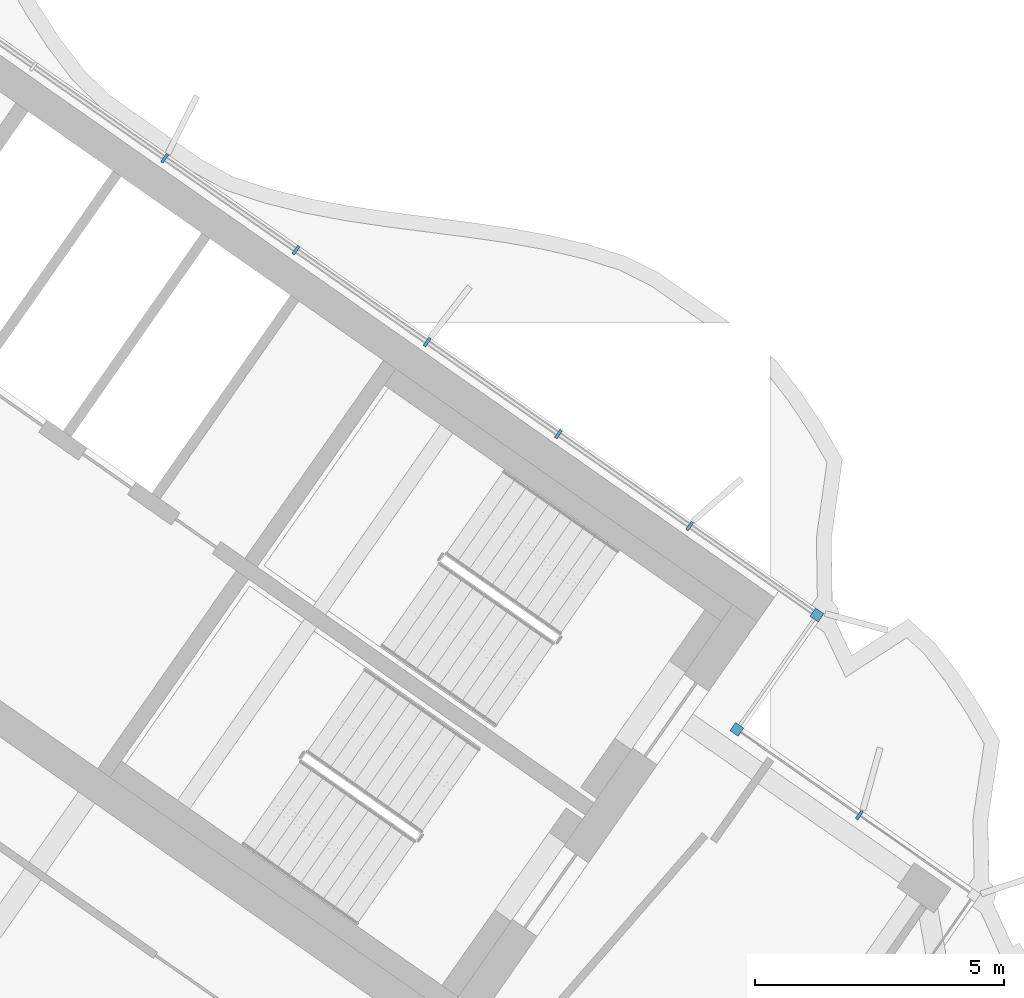
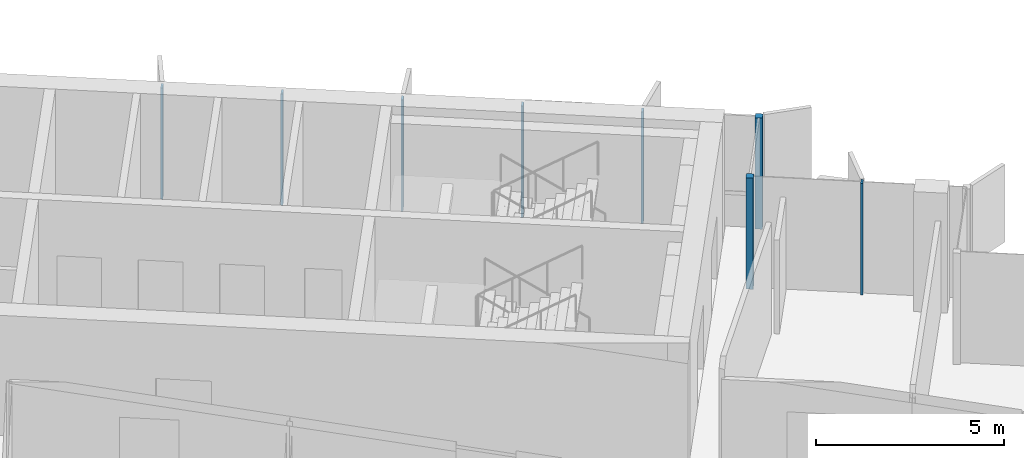
# One storey, part 6 of 20: 8 members, 2 elements without a shape of their own.
"""IFC4 building model written with IfcOpenShell, lengths in metres."""

from ifc_helpers import new_model, si_unit, direction, frame, origin, origin_2d, place, context, subcontext, project, spatial, rectangle, extrude, material, material_profile, profile_set, type_object, element, aggregate, save


model = new_model("IFC4")

# Units and contexts
model_context = context("Model", 3, precision=1e-05, world=origin(), true_north=direction((0.0, 1.0)))
body_context = subcontext(model_context, "Body", "Model", "MODEL_VIEW")
ifc_project = project(units=[si_unit("LENGTHUNIT", "METRE"), si_unit("AREAUNIT", "SQUARE_METRE"), si_unit("VOLUMEUNIT", "CUBIC_METRE"), si_unit("PLANEANGLEUNIT", "RADIAN"), si_unit("MASSUNIT", "GRAM", prefix="KILO")], contexts=[model_context])

# Site, building, storey
site_placement = place(None, origin())
site = spatial("IfcSite", under=ifc_project, at=site_placement, CompositionType="ELEMENT")
building_placement = place(site_placement, origin())
building = spatial("IfcBuilding", under=site, at=building_placement, Name="Tel Ilan Convention Tower", CompositionType="ELEMENT")
storey_placement = place(building_placement, frame((0.0, 0.0, 229.300048828125)))
storey = spatial("IfcBuildingStorey", under=building, at=storey_placement, Name="L53", CompositionType="ELEMENT", Elevation=229.300048828125)

# Curtain wall, members
ifc_material_1 = material(Name="Aluminium, bronze anodised", Category="aluminium")
curtain_wall_type_1 = type_object("IfcCurtainWallType", Name="CW2 STICK CURTAIN WALL, SPANDREL PANELS", PredefinedType="NOTDEFINED", material=ifc_material_1)
curtain_wall_1_placement = place(storey_placement, origin())
curtain_wall_1 = element("IfcCurtainWall", 1, at=curtain_wall_1_placement, inside=storey, type_object=curtain_wall_type_1, Name="Curtain wall CW2-42.01", PredefinedType="NOTDEFINED")
ifc_material_2 = material(Name="Aluminium, bronze anodised", Category="aluminium")
ifc_material_profile_1 = material_profile(ifc_material_2, rectangle(XDim=0.199951171875, YDim=0.199951171875, at=origin_2d()), Name="CW CORNER MULLION 200x200")
ifc_profile_set_1 = profile_set([ifc_material_profile_1], Name="Aluminium, bronze anodised")
member_type_1 = type_object("IfcMemberType", Name="CW CORNER MULLION 200x200", PredefinedType="MULLION", material=ifc_profile_set_1)
member_1_placement = place(storey_placement, frame((27.213623046875, -9.77734375, 0.0), z_axis=(0.0, 0.0, 1.0), x_axis=(-0.819152044289, 0.573576436351, 0.0)))
member_1 = element("IfcMember", 2, at=member_1_placement, type_object=member_type_1, Name="Corner mullion", PredefinedType="MULLION", context=body_context, shape_type="SweptSolid", body=[
    extrude(rectangle(XDim=0.199951171875, YDim=0.199951171875, at=origin_2d()), origin(), (0.0, 0.0, 1.0), 3.619873046875),
])
member_2_placement = place(storey_placement, frame((28.819580078125, -7.483642578125, 0.0), z_axis=(0.0, 0.0, 1.0), x_axis=(0.573576436351, 0.819152044289, 0.0)))
member_2 = element("IfcMember", 3, at=member_2_placement, type_object=member_type_1, Name="Corner mullion", PredefinedType="MULLION", context=body_context, shape_type="SweptSolid", body=[
    extrude(rectangle(XDim=0.199951171875, YDim=0.199951171875, at=origin_2d()), origin(), (0.0, 0.0, 1.0), 3.619873046875),
])
ifc_material_3 = material(Name="Aluminium, bronze anodised", Category="aluminium")
ifc_material_profile_2 = material_profile(ifc_material_3, rectangle(XDim=0.06005859375, YDim=0.199951171875, at=origin_2d()), Name="CW MULLION 60x200")
ifc_profile_set_2 = profile_set([ifc_material_profile_2], Name="Aluminium, bronze anodised")
member_type_2 = type_object("IfcMemberType", Name="CW MULLION 60x200", PredefinedType="MULLION", material=ifc_profile_set_2)
member_3_placement = place(storey_placement, frame((26.268798828125, -5.697509765625, 0.0), z_axis=(0.0, 0.0, 1.0), x_axis=(-0.819152044289, 0.573576436351, 0.0)))
member_3 = element("IfcMember", 4, at=member_3_placement, type_object=member_type_2, Name="Mullion", PredefinedType="MULLION", context=body_context, shape_type="SweptSolid", body=[
    extrude(rectangle(XDim=0.06005859375, YDim=0.199951171875, at=origin_2d()), origin(), (0.0, 0.0, 1.0), 3.619873046875),
])
member_4_placement = place(storey_placement, frame((23.63623046875, -3.854248046875, 0.0), z_axis=(0.0, 0.0, 1.0), x_axis=(-0.819152044289, 0.573576436351, 0.0)))
member_4 = element("IfcMember", 5, at=member_4_placement, type_object=member_type_2, Name="Mullion", PredefinedType="MULLION", context=body_context, shape_type="SweptSolid", body=[
    extrude(rectangle(XDim=0.06005859375, YDim=0.199951171875, at=origin_2d()), origin(), (0.0, 0.0, 1.0), 3.619873046875),
])
member_5_placement = place(storey_placement, frame((21.003662109375, -2.0107421875, 0.0), z_axis=(0.0, 0.0, 1.0), x_axis=(-0.819152044289, 0.573576436351, 0.0)))
member_5 = element("IfcMember", 6, at=member_5_placement, type_object=member_type_2, Name="Mullion", PredefinedType="MULLION", context=body_context, shape_type="SweptSolid", body=[
    extrude(rectangle(XDim=0.06005859375, YDim=0.199951171875, at=origin_2d()), origin(), (0.0, 0.0, 1.0), 3.619873046875),
])
member_6_placement = place(storey_placement, frame((18.37109375, -0.16748046875, 0.0), z_axis=(0.0, 0.0, 1.0), x_axis=(-0.819152044289, 0.573576436351, 0.0)))
member_6 = element("IfcMember", 7, at=member_6_placement, type_object=member_type_2, Name="Mullion", PredefinedType="MULLION", context=body_context, shape_type="SweptSolid", body=[
    extrude(rectangle(XDim=0.06005859375, YDim=0.199951171875, at=origin_2d()), origin(), (0.0, 0.0, 1.0), 3.619873046875),
])
member_7_placement = place(storey_placement, frame((15.73828125, 1.676025390625, 0.0), z_axis=(0.0, 0.0, 1.0), x_axis=(-0.819152044289, 0.573576436351, 0.0)))
member_7 = element("IfcMember", 8, at=member_7_placement, type_object=member_type_2, Name="Mullion", PredefinedType="MULLION", context=body_context, shape_type="SweptSolid", body=[
    extrude(rectangle(XDim=0.06005859375, YDim=0.199951171875, at=origin_2d()), origin(), (0.0, 0.0, 1.0), 3.619873046875),
])
aggregate(curtain_wall_1, [member_1, member_2, member_3, member_4, member_5, member_6, member_7])

# Curtain wall, member
ifc_material_4 = material(Name="Aluminium, bronze anodised", Category="aluminium")
curtain_wall_type_2 = type_object("IfcCurtainWallType", Name="CW5 STICK CURTAIN WALL, UPPER OFFICE LOW-IRON TINTED GLASS", PredefinedType="NOTDEFINED", material=ifc_material_4)
curtain_wall_2_placement = place(storey_placement, origin())
curtain_wall_2 = element("IfcCurtainWall", 9, at=curtain_wall_2_placement, inside=storey, type_object=curtain_wall_type_2, Name="Curtain wall CW5-42.02", PredefinedType="NOTDEFINED")
member_8_placement = place(storey_placement, frame((29.6708984375, -11.498046875, 0.0), z_axis=(0.0, 0.0, 1.0), x_axis=(-0.819152044289, 0.573576436351, 0.0)))
member_8 = element("IfcMember", 10, at=member_8_placement, type_object=member_type_2, Name="Mullion", PredefinedType="MULLION", context=body_context, shape_type="SweptSolid", body=[
    extrude(rectangle(XDim=0.06005859375, YDim=0.199951171875, at=origin_2d()), origin(), (0.0, 0.0, 1.0), 3.619873046875),
])
aggregate(curtain_wall_2, [member_8])

save(model, "model.ifc")
